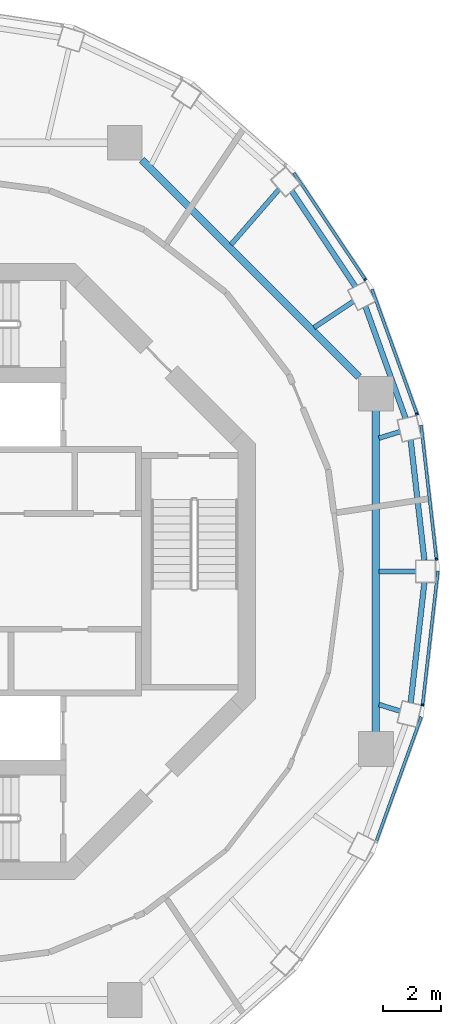
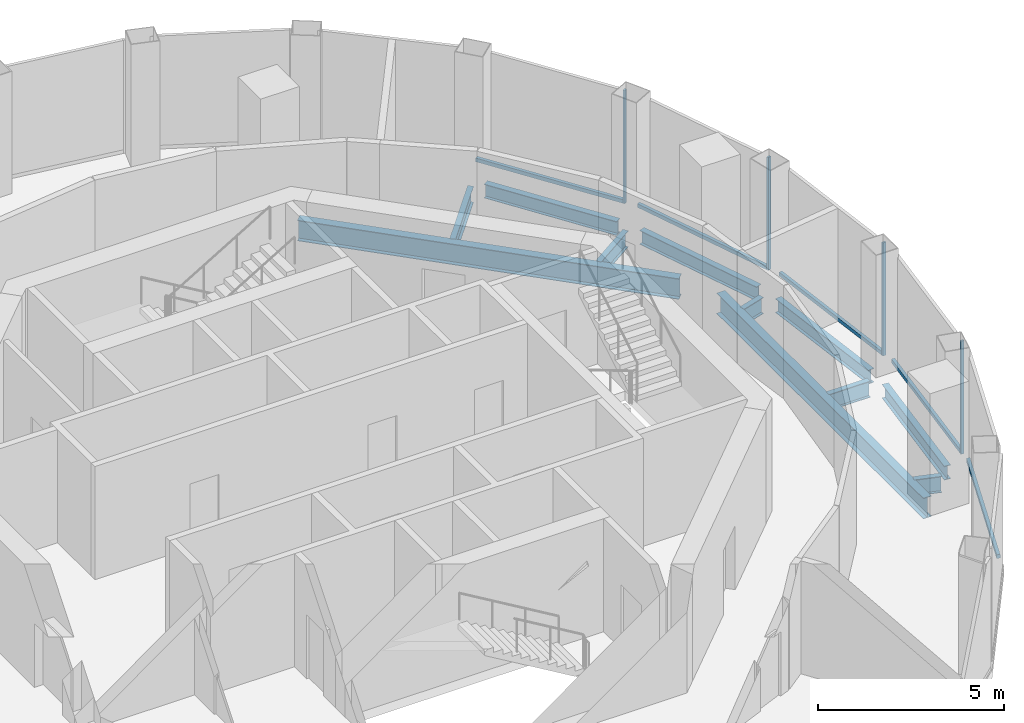
# One storey, part 5 of 11: 11 beams, 9 members, 5 elements without a shape of their own.
"""IFC4 building model written with IfcOpenShell, lengths in metres."""

from ifc_helpers import new_model, si_unit, direction, frame, origin, origin_2d, place, context, subcontext, project, spatial, rectangle, i_section, extrude, material, layer, layer_set, material_profile, profile_set, type_object, element, aggregate, save


model = new_model("IFC4")

# Units and contexts
model_context = context("Model", 3, precision=1e-05, world=origin(), true_north=direction((0.0, 1.0)))
body_context = subcontext(model_context, "Body", "Model", "MODEL_VIEW")
ifc_project = project(units=[si_unit("LENGTHUNIT", "METRE"), si_unit("AREAUNIT", "SQUARE_METRE"), si_unit("VOLUMEUNIT", "CUBIC_METRE"), si_unit("PLANEANGLEUNIT", "RADIAN"), si_unit("MASSUNIT", "GRAM", prefix="KILO")], contexts=[model_context])

# Site, building, storey
site_placement = place(None, origin())
site = spatial("IfcSite", under=ifc_project, at=site_placement, CompositionType="ELEMENT")
building_placement = place(site_placement, origin())
building = spatial("IfcBuilding", under=site, at=building_placement, Name="Nagisa Residences", CompositionType="ELEMENT")
storey_placement = place(building_placement, frame((0.0, 0.0, 336.89990234375)))
storey = spatial("IfcBuildingStorey", under=building, at=storey_placement, Name="L83", CompositionType="ELEMENT", Elevation=336.89990234375)

# Curtain wall, member
ifc_material_1 = material(Name="Aluminium curtain wall system", Category="aluminium")
ifc_layer = layer(ifc_material_1, 0.159912109375)
ifc_layer_set = layer_set([ifc_layer], Name="CW5 CURTAIN WALL")
curtain_wall_type = type_object("IfcCurtainWallType", Name="CW5 CURTAIN WALL", PredefinedType="NOTDEFINED", material=ifc_layer_set)
curtain_wall_1_placement = place(storey_placement, origin())
curtain_wall_1 = element("IfcCurtainWall", 1, at=curtain_wall_1_placement, inside=storey, type_object=curtain_wall_type, Name="cw:CW5:L83:00", PredefinedType="NOTDEFINED")
ifc_material_2 = material(Name="Aluminium", Category="aluminium")
ifc_material_profile_1 = material_profile(ifc_material_2, rectangle(XDim=0.10009765625, YDim=0.06005859375, at=origin_2d()), Name="CW5 MULLION 100x60")
ifc_profile_set_1 = profile_set([ifc_material_profile_1], Name="Aluminium")
member_type_1 = type_object("IfcMemberType", Name="CW5 MULLION 100x60", PredefinedType="MULLION", material=ifc_profile_set_1)
member_1_placement = place(storey_placement, frame((16.87158203125, 0.41796875, 0.0), z_axis=(0.0, 0.0, 1.0), x_axis=(-0.993477835048, -0.114025397474, 0.0)))
member_1 = element("IfcMember", 2, at=member_1_placement, type_object=member_type_1, Name="CW5 mullion", PredefinedType="MULLION", context=body_context, shape_type="SweptSolid", body=[
    extrude(rectangle(XDim=0.10009765625, YDim=0.06005859375, at=origin_2d()), origin(), (0.0, 0.0, 1.0), 3.7001953125),
])

curtain_wall_2_placement = place(storey_placement, origin())
curtain_wall_2 = element("IfcCurtainWall", 3, at=curtain_wall_2_placement, inside=storey, type_object=curtain_wall_type, Name="cw:CW5:L83:01", PredefinedType="NOTDEFINED")
member_2_placement = place(storey_placement, frame((16.199462890625, 5.42431640625, 0.0), z_axis=(0.0, 0.0, 1.0), x_axis=(-0.940554456033, -0.339642923136, 0.0)))
member_2 = element("IfcMember", 4, at=member_2_placement, type_object=member_type_1, Name="CW5 mullion", PredefinedType="MULLION", context=body_context, shape_type="SweptSolid", body=[
    extrude(rectangle(XDim=0.10009765625, YDim=0.06005859375, at=origin_2d()), origin(), (0.0, 0.0, 1.0), 3.7001953125),
])

curtain_wall_3_placement = place(storey_placement, origin())
curtain_wall_3 = element("IfcCurtainWall", 5, at=curtain_wall_3_placement, inside=storey, type_object=curtain_wall_type, Name="cw:CW5:L83:02", PredefinedType="NOTDEFINED")
member_3_placement = place(storey_placement, frame((14.416748046875, 10.06298828125, 0.0), z_axis=(0.0, 0.0, 1.0), x_axis=(-0.831172662415, -0.556014393027, 0.0)))
member_3 = element("IfcMember", 6, at=member_3_placement, type_object=member_type_1, Name="CW5 mullion", PredefinedType="MULLION", context=body_context, shape_type="SweptSolid", body=[
    extrude(rectangle(XDim=0.10009765625, YDim=0.06005859375, at=origin_2d()), origin(), (0.0, 0.0, 1.0), 3.7001953125),
])

curtain_wall_4_placement = place(storey_placement, origin())
curtain_wall_4 = element("IfcCurtainWall", 7, at=curtain_wall_4_placement, inside=storey, type_object=curtain_wall_type, Name="cw:CW5:L83:23", PredefinedType="NOTDEFINED")
member_4_placement = place(storey_placement, frame((16.390380859375, -4.610595703125, 0.0), z_axis=(0.0, 0.0, 1.0), x_axis=(-0.993477835048, 0.114025397474, 0.0)))
member_4 = element("IfcMember", 8, at=member_4_placement, type_object=member_type_1, Name="CW5 mullion", PredefinedType="MULLION", context=body_context, shape_type="SweptSolid", body=[
    extrude(rectangle(XDim=0.10009765625, YDim=0.06005859375, at=origin_2d()), origin(), (0.0, 0.0, 1.0), 3.7001953125),
])

# Member
ifc_material_3 = material(Name="Aluminium", Category="aluminium")
ifc_material_profile_2 = material_profile(ifc_material_3, rectangle(XDim=0.10009765625, YDim=0.1201171875, at=origin_2d()), Name="CW5 TRANSOM 100x120")
ifc_profile_set_2 = profile_set([ifc_material_profile_2], Name="Aluminium")
member_type_2 = type_object("IfcMemberType", Name="CW5 TRANSOM 100x120", PredefinedType="USERDEFINED", material=ifc_profile_set_2)
member_5_placement = place(storey_placement, frame((16.875, 0.38818359375, 0.06005859375), z_axis=(-0.114032075188, 0.993477068597, 0.0), x_axis=(-0.993477068597, -0.114032075188, 0.0)))
member_5 = element("IfcMember", 9, at=member_5_placement, type_object=member_type_2, Name="CW5 transom", ObjectType="TRANSOM", PredefinedType="USERDEFINED", context=body_context, shape_type="SweptSolid", body=[
    extrude(rectangle(XDim=0.10009765625, YDim=0.1201171875, at=origin_2d()), origin(), (0.0, 0.0, 1.0), 4.68017578125),
])

aggregate(curtain_wall_1, [member_1, member_5])

member_6_placement = place(storey_placement, frame((16.209716796875, 5.39599609375, 0.06005859375), z_axis=(-0.339645767878, 0.940553428766, 0.0), x_axis=(-0.940553428766, -0.339645767878, 0.0)))
member_6 = element("IfcMember", 10, at=member_6_placement, type_object=member_type_2, Name="CW5 transom", ObjectType="TRANSOM", PredefinedType="USERDEFINED", context=body_context, shape_type="SweptSolid", body=[
    extrude(rectangle(XDim=0.10009765625, YDim=0.1201171875, at=origin_2d()), origin(), (0.0, 0.0, 1.0), 4.600341796875),
])

aggregate(curtain_wall_2, [member_2, member_6])

member_7_placement = place(storey_placement, frame((14.43359375, 10.0380859375, 0.06005859375), z_axis=(-0.556026221044, 0.831164749921, 0.0), x_axis=(-0.831164749921, -0.556026221044, 0.0)))
member_7 = element("IfcMember", 11, at=member_7_placement, type_object=member_type_2, Name="CW5 transom", ObjectType="TRANSOM", PredefinedType="USERDEFINED", context=body_context, shape_type="SweptSolid", body=[
    extrude(rectangle(XDim=0.10009765625, YDim=0.1201171875, at=origin_2d()), origin(), (0.0, 0.0, 1.0), 4.458984375),
])

aggregate(curtain_wall_3, [member_3, member_7])

# Curtain wall, member
curtain_wall_5_placement = place(storey_placement, origin())
curtain_wall_5 = element("IfcCurtainWall", 12, at=curtain_wall_5_placement, inside=storey, type_object=curtain_wall_type, Name="cw:CW5:L83:22", PredefinedType="NOTDEFINED")
member_8_placement = place(storey_placement, frame((14.782958984375, -9.3466796875, 0.06005859375), z_axis=(0.339645767878, 0.940553428766, 0.0), x_axis=(-0.940553428766, 0.339645767878, 0.0)))
member_8 = element("IfcMember", 13, at=member_8_placement, type_object=member_type_2, Name="CW5 transom", ObjectType="TRANSOM", PredefinedType="USERDEFINED", context=body_context, shape_type="SweptSolid", body=[
    extrude(rectangle(XDim=0.10009765625, YDim=0.1201171875, at=origin_2d()), origin(), (0.0, 0.0, 1.0), 4.600341796875),
])
aggregate(curtain_wall_5, [member_8])

# Member
member_9_placement = place(storey_placement, frame((16.386962890625, -4.640380859375, 0.06005859375), z_axis=(0.11398649568, 0.993482299189, 0.0), x_axis=(-0.993482299189, 0.11398649568, 0.0)))
member_9 = element("IfcMember", 14, at=member_9_placement, type_object=member_type_2, Name="CW5 transom", ObjectType="TRANSOM", PredefinedType="USERDEFINED", context=body_context, shape_type="SweptSolid", body=[
    extrude(rectangle(XDim=0.10009765625, YDim=0.1201171875, at=origin_2d()), origin(), (0.0, 0.0, 1.0), 4.679931640625),
])

aggregate(curtain_wall_4, [member_4, member_9])

# Beams
ifc_material_4 = material(Name="Steel ASTM A572 Gr 50", Category="steel")
ifc_material_profile_3 = material_profile(ifc_material_4, i_section(OverallWidth=0.2529296875, OverallDepth=0.677978515625, WebThickness=0.01171875, FlangeThickness=0.016357421875, at=origin_2d()), Name="W690x125")
ifc_profile_set_3 = profile_set([ifc_material_profile_3], Name="Steel ASTM A572 Gr 50")
beam_type_1 = type_object("IfcBeamType", Name="Inner ring beam W690x125", PredefinedType="BEAM", material=ifc_profile_set_3)
beam_1_placement = place(storey_placement, frame((14.1962890625, 6.708740234375, -0.638916015625), z_axis=(-0.707106781187, 0.707106781187, 0.0), x_axis=(-0.707106781187, -0.707106781187, 0.0)))
element("IfcBeam", 15, at=beam_1_placement, inside=storey, type_object=beam_type_1, Name="beam:L83:ib1", PredefinedType="BEAM", context=body_context, shape_type="SweptSolid", body=[
    extrude(i_section(OverallWidth=0.2529296875, OverallDepth=0.677978515625, WebThickness=0.01171875, FlangeThickness=0.016357421875, at=origin_2d()), origin(), (0.0, 0.0, 1.0), 10.589111328125),
])
beam_2_placement = place(storey_placement, frame((14.781982421875, -5.54296875, -0.638916015625), z_axis=(0.0, 1.0, 0.0), x_axis=(-1.0, 0.0, 0.0)))
element("IfcBeam", 16, at=beam_2_placement, inside=storey, type_object=beam_type_1, Name="beam:L83:ib8", PredefinedType="BEAM", context=body_context, shape_type="SweptSolid", body=[
    extrude(i_section(OverallWidth=0.2529296875, OverallDepth=0.677978515625, WebThickness=0.01171875, FlangeThickness=0.016357421875, at=origin_2d()), origin(), (0.0, 0.0, 1.0), 11.0859375),
])
ifc_material_5 = material(Name="Steel ASTM A572 Gr 50", Category="steel")
ifc_material_profile_4 = material_profile(ifc_material_5, i_section(OverallWidth=0.18994140625, OverallDepth=0.45703125, WebThickness=0.009033203125, FlangeThickness=0.014404296875, at=origin_2d()), Name="W460x74")
ifc_profile_set_4 = profile_set([ifc_material_profile_4], Name="Steel ASTM A572 Gr 50")
beam_type_2 = type_object("IfcBeamType", Name="Perimeter ring beam W460x74", PredefinedType="BEAM", material=ifc_profile_set_4)
beam_3_placement = place(storey_placement, frame((16.45654296875, 0.380126953125, -0.5283203125), z_axis=(-0.113600894263, 0.993526465084, 0.0), x_axis=(-0.993526465084, -0.113600894263, 0.0)))
element("IfcBeam", 17, at=beam_3_placement, inside=storey, type_object=beam_type_2, Name="beam:L83:pb01", PredefinedType="BEAM", context=body_context, shape_type="SweptSolid", body=[
    extrude(i_section(OverallWidth=0.18994140625, OverallDepth=0.45703125, WebThickness=0.009033203125, FlangeThickness=0.014404296875, at=origin_2d()), origin(), (0.0, 0.0, 1.0), 4.184326171875),
])
beam_4_placement = place(storey_placement, frame((15.808349609375, 5.277587890625, -0.5283203125), z_axis=(-0.338517252251, 0.940960185092, 0.0), x_axis=(-0.940960185092, -0.338517252251, 0.0)))
element("IfcBeam", 18, at=beam_4_placement, inside=storey, type_object=beam_type_2, Name="beam:L83:pb02", PredefinedType="BEAM", context=body_context, shape_type="SweptSolid", body=[
    extrude(i_section(OverallWidth=0.18994140625, OverallDepth=0.45703125, WebThickness=0.009033203125, FlangeThickness=0.014404296875, at=origin_2d()), origin(), (0.0, 0.0, 1.0), 4.1044921875),
])
beam_5_placement = place(storey_placement, frame((14.0771484375, 9.818603515625, -0.5283203125), z_axis=(-0.554529560082, 0.832164026497, 0.0), x_axis=(-0.832164026497, -0.554529560082, 0.0)))
element("IfcBeam", 19, at=beam_5_placement, inside=storey, type_object=beam_type_2, Name="beam:L83:pb03", PredefinedType="BEAM", context=body_context, shape_type="SweptSolid", body=[
    extrude(i_section(OverallWidth=0.18994140625, OverallDepth=0.45703125, WebThickness=0.009033203125, FlangeThickness=0.014404296875, at=origin_2d()), origin(), (0.0, 0.0, 1.0), 3.96240234375),
])
beam_6_placement = place(storey_placement, frame((15.981201171875, -4.537353515625, -0.5283203125), z_axis=(0.113600894263, 0.993526465084, 0.0), x_axis=(-0.993526465084, 0.113600894263, 0.0)))
element("IfcBeam", 20, at=beam_6_placement, inside=storey, type_object=beam_type_2, Name="beam:L83:pb24", PredefinedType="BEAM", context=body_context, shape_type="SweptSolid", body=[
    extrude(i_section(OverallWidth=0.18994140625, OverallDepth=0.45703125, WebThickness=0.009033203125, FlangeThickness=0.014404296875, at=origin_2d()), origin(), (0.0, 0.0, 1.0), 4.184326171875),
])
ifc_material_6 = material(Name="Steel ASTM A572 Gr 50", Category="steel")
ifc_material_profile_5 = material_profile(ifc_material_6, i_section(OverallWidth=0.166015625, OverallDepth=0.534912109375, WebThickness=0.01025390625, FlangeThickness=0.0166015625, at=origin_2d()), Name="W530x85")
ifc_profile_set_5 = profile_set([ifc_material_profile_5], Name="Steel ASTM A572 Gr 50")
beam_type_3 = type_object("IfcBeamType", Name="Radial beam W530x85", PredefinedType="BEAM", material=ifc_profile_set_5)
beam_7_placement = place(storey_placement, frame((16.169921875, 0.0, -0.5673828125), z_axis=(-1.0, 0.0, 0.0), x_axis=(0.0, -1.0, 0.0)))
element("IfcBeam", 21, at=beam_7_placement, inside=storey, type_object=beam_type_3, Name="beam:L83:rb01", PredefinedType="BEAM", context=body_context, shape_type="SweptSolid", body=[
    extrude(i_section(OverallWidth=0.166015625, OverallDepth=0.534912109375, WebThickness=0.01025390625, FlangeThickness=0.0166015625, at=origin_2d()), origin(), (0.0, 0.0, 1.0), 1.28125),
])
beam_8_placement = place(storey_placement, frame((15.62158203125, 4.820068359375, -0.5673828125), z_axis=(-0.955489220567, -0.295026014753, 0.0), x_axis=(0.295026014753, -0.955489220567, 0.0)))
element("IfcBeam", 22, at=beam_8_placement, inside=storey, type_object=beam_type_3, Name="beam:L83:rb02", PredefinedType="BEAM", context=body_context, shape_type="SweptSolid", body=[
    extrude(i_section(OverallWidth=0.166015625, OverallDepth=0.534912109375, WebThickness=0.01025390625, FlangeThickness=0.0166015625, at=origin_2d()), origin(), (0.0, 0.0, 1.0), 0.766357421875),
])
beam_9_placement = place(storey_placement, frame((14.012451171875, 9.31591796875, -0.5673828125), z_axis=(-0.832714310154, -0.553702878505, 0.0), x_axis=(0.553702878505, -0.832714310154, 0.0)))
element("IfcBeam", 23, at=beam_9_placement, inside=storey, type_object=beam_type_3, Name="beam:L83:rb03", PredefinedType="BEAM", context=body_context, shape_type="SweptSolid", body=[
    extrude(i_section(OverallWidth=0.166015625, OverallDepth=0.534912109375, WebThickness=0.01025390625, FlangeThickness=0.0166015625, at=origin_2d()), origin(), (0.0, 0.0, 1.0), 1.638916015625),
])
beam_10_placement = place(storey_placement, frame((11.44873046875, 13.183349609375, -0.5673828125), z_axis=(-0.655718438616, -0.755005516045, 0.0), x_axis=(0.755005516045, -0.655718438616, 0.0)))
element("IfcBeam", 24, at=beam_10_placement, inside=storey, type_object=beam_type_3, Name="beam:L83:rb04", PredefinedType="BEAM", context=body_context, shape_type="SweptSolid", body=[
    extrude(i_section(OverallWidth=0.166015625, OverallDepth=0.534912109375, WebThickness=0.01025390625, FlangeThickness=0.0166015625, at=origin_2d()), origin(), (0.0, 0.0, 1.0), 2.53515625),
])
beam_11_placement = place(storey_placement, frame((15.62158203125, -4.820068359375, -0.5673828125), z_axis=(-0.955489220567, 0.295026014753, 0.0), x_axis=(-0.295026014753, -0.955489220567, 0.0)))
element("IfcBeam", 25, at=beam_11_placement, inside=storey, type_object=beam_type_3, Name="beam:L83:rb24", PredefinedType="BEAM", context=body_context, shape_type="SweptSolid", body=[
    extrude(i_section(OverallWidth=0.166015625, OverallDepth=0.534912109375, WebThickness=0.01025390625, FlangeThickness=0.0166015625, at=origin_2d()), origin(), (0.0, 0.0, 1.0), 0.766357421875),
])

save(model, "model.ifc")
